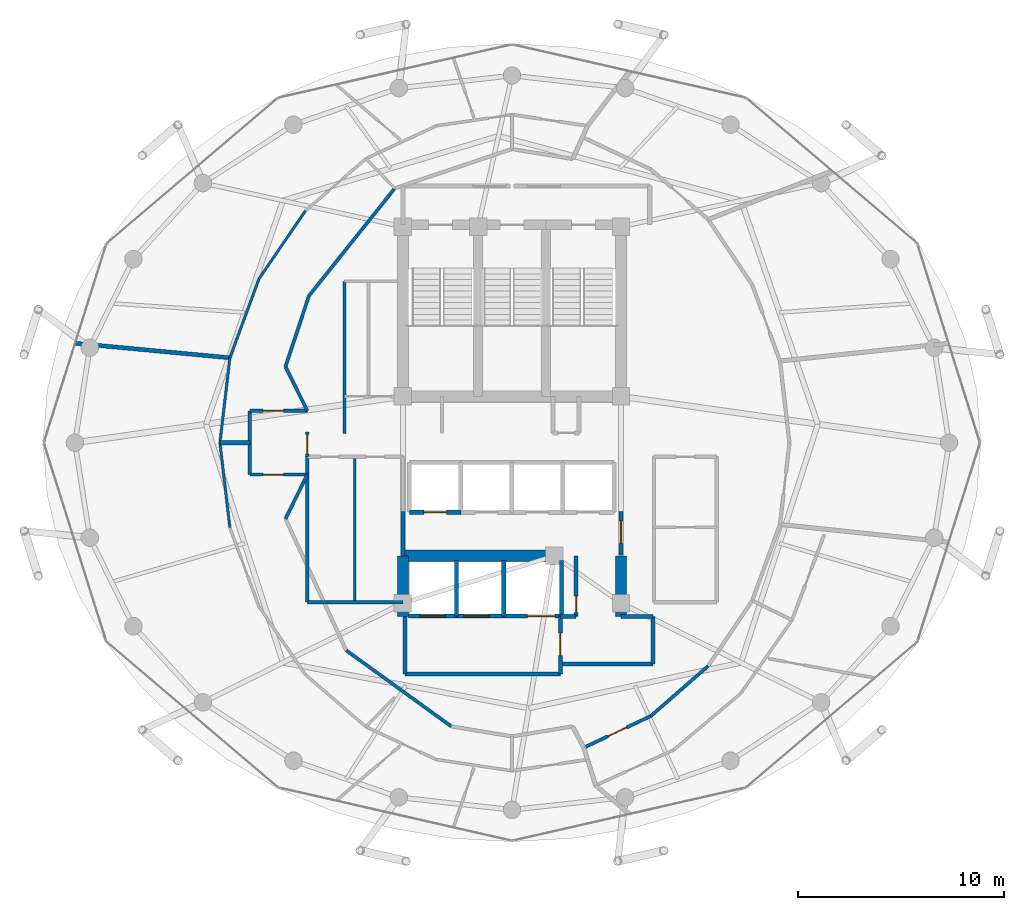
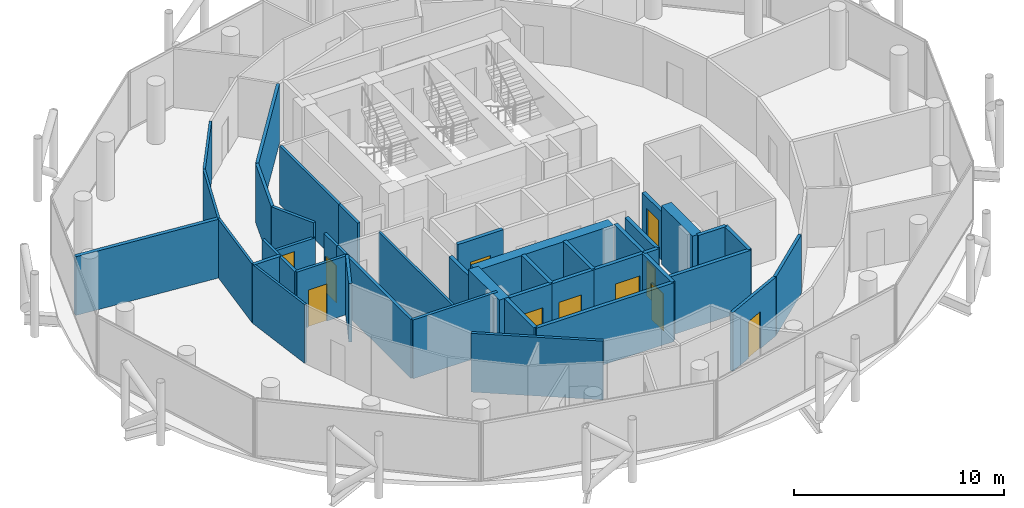
# One storey, part 23 of 27: 42 walls, 11 doors, 11 openings.
"""IFC4 building model written with IfcOpenShell, lengths in metres."""

from ifc_helpers import new_model, si_unit, direction, frame, frame_2d, origin, place, context, subcontext, project, spatial, rectangle, extrude, material, layer, layer_set, type_object, element, fill, save


model = new_model("IFC4")

# Units and contexts
model_context = context("Model", 3, precision=1e-05, world=origin(), true_north=direction((0.0, 1.0)))
body_context = subcontext(model_context, "Body", "Model", "MODEL_VIEW")
ifc_project = project(units=[si_unit("LENGTHUNIT", "METRE"), si_unit("AREAUNIT", "SQUARE_METRE"), si_unit("VOLUMEUNIT", "CUBIC_METRE"), si_unit("PLANEANGLEUNIT", "RADIAN"), si_unit("MASSUNIT", "GRAM", prefix="KILO")], contexts=[model_context])

# Site, building, storey
site_placement = place(None, origin())
site = spatial("IfcSite", under=ifc_project, at=site_placement, CompositionType="ELEMENT")
building_placement = place(site_placement, origin())
building = spatial("IfcBuilding", under=site, at=building_placement, Name="Nuhasar Tower", CompositionType="ELEMENT")
storey_placement = place(building_placement, frame((0.0, 0.0, 241.0)))
storey = spatial("IfcBuildingStorey", under=building, at=storey_placement, Name="L59", CompositionType="ELEMENT", Elevation=241.0)

# Walls
ifc_material_1 = material(Name="Concrete C55/67", Category="concrete")
ifc_layer_1 = layer(ifc_material_1, 0.550048828125)
ifc_layer_set_1 = layer_set([ifc_layer_1], Name="Concrete C55/67")
wall_type_1 = type_object("IfcWallType", Name="WL-CORE-550", PredefinedType="SHEAR", material=ifc_layer_set_1)
for number, where, z_axis, x_axis, name in (
    (1, (33.699951171875, 18.35009765625, 0.0), (0.0, 0.0, 1.0), (0.0, 1.0, 0.0), "L59 Core Shear Wall CW-SW CW-550"),
    (2, (44.300048828125, 18.35009765625, 0.0), (0.0, 0.0, 1.0), (0.0, 1.0, 0.0), "L59 Core Shear Wall CW-SE CW-550"),
):
    element("IfcWall", number, at=place(storey_placement, frame(where, z_axis=z_axis, x_axis=x_axis)), inside=storey, type_object=wall_type_1, Name=name, PredefinedType="SHEAR", context=body_context, shape_type="SweptSolid", body=[
        extrude(rectangle(XDim=2.949951171875, YDim=0.550048828125, at=frame_2d((1.47509765625, 0.0))), origin(), (0.0, 0.0, 1.0), 3.409912109375),
    ])
wall_1_placement = place(storey_placement, frame((33.699951171875, 21.300048828125, 0.0), z_axis=(0.0, 0.0, 1.0), x_axis=(1.0, 0.0, 0.0)))
element("IfcWall", 3, at=wall_1_placement, inside=storey, type_object=wall_type_1, Name="L59 Core Shear Wall CW-S1 CW-550", PredefinedType="SHEAR", context=body_context, shape_type="SweptSolid", body=[
    extrude(rectangle(XDim=7.550048828125, YDim=0.550048828125, at=frame_2d((3.77490234375, 0.0))), origin(), (0.0, 0.0, 1.0), 3.409912109375),
])
ifc_material_2 = material(Name="Gypsum Board", Category="gypsum")
ifc_layer_2 = layer(ifc_material_2, 0.159912109375)
ifc_layer_set_2 = layer_set([ifc_layer_2], Name="Gypsum Board")
wall_type_2 = type_object("IfcWallType", Name="WL-CORR-160", PredefinedType="PARTITIONING", material=ifc_layer_set_2)
wall_2_placement = place(storey_placement, frame((29.050048828125, 19.050048828125, 0.0), z_axis=(0.0, 0.0, 1.0), x_axis=(1.0, 0.0, 0.0)))
element("IfcWall", 4, at=wall_2_placement, inside=storey, type_object=wall_type_2, Name="L59 Interior Partition RECL-B1-S", PredefinedType="PARTITIONING", context=body_context, shape_type="SweptSolid", body=[
    extrude(rectangle(XDim=4.64990234375, YDim=0.159912109375, at=frame_2d((2.324951171875, 0.0))), origin(), (0.0, 0.0, 1.0), 3.409912109375),
])
wall_3_placement = place(storey_placement, frame((29.050048828125, 19.050048828125, 0.0), z_axis=(0.0, 0.0, 1.0), x_axis=(0.0, 1.0, 0.0)))
element("IfcWall", 5, at=wall_3_placement, inside=storey, type_object=wall_type_2, Name="L59 Interior Partition RECL-B1-W", PredefinedType="PARTITIONING", context=body_context, shape_type="SweptSolid", body=[
    extrude(rectangle(XDim=7.070068359375, YDim=0.159912109375, at=frame_2d((3.53515625, 0.0))), origin(), (0.0, 0.0, 1.0), 3.409912109375),
])

# Wall, opening, door
wall_4_placement = place(storey_placement, frame((29.050048828125, 26.1201171875, 0.0), z_axis=(0.0, 0.0, 1.0), x_axis=(0.0, 1.0, 0.0)))
wall_4 = element("IfcWall", 6, at=wall_4_placement, inside=storey, type_object=wall_type_2, Name="L59 Interior Partition WVEST-E", PredefinedType="PARTITIONING", context=body_context, shape_type="SweptSolid", body=[
    extrude(rectangle(XDim=1.199951171875, YDim=0.159912109375, at=frame_2d((0.60009765625, 0.0))), origin(), (0.0, 0.0, 1.0), 3.409912109375),
])
opening_1_placement = place(wall_4_placement, frame((0.125, 0.0, 0.0)))
opening_1 = element("IfcOpeningElement", 7, at=opening_1_placement, cuts=wall_4, Name="Opening DO-01", PredefinedType="OPENING", context=body_context, shape_type="SweptSolid", body=[
    extrude(rectangle(XDim=0.949951171875, YDim=2.14990234375, at=frame_2d((0.47509765625, 1.074951171875))), frame((0.0, 0.08984375, 0.0), z_axis=(0.0, -1.0, 0.0), x_axis=(1.0, 0.0, 0.0)), (0.0, 0.0, 1.0), 0.179931640625),
])
ifc_material_3 = material(Name="Timber Oak", Category="wood")
door_type_1 = type_object("IfcDoorType", Name="DR-OFFICE-FD30-950", OperationType="NOTDEFINED", PredefinedType="DOOR", material=ifc_material_3)
door_1_placement = place(opening_1_placement, origin())
door_1 = element("IfcDoor", 8, at=door_1_placement, inside=storey, type_object=door_type_1, Name="L59 West Arrival Foyer Core Door", OperationType="SINGLE_SWING_RIGHT", OverallHeight=2.14990234375, OverallWidth=0.949951171875, PredefinedType="DOOR", context=body_context, shape_type="SweptSolid", body=[
    extrude(rectangle(XDim=0.949951171875, YDim=2.14990234375, at=frame_2d((0.47509765625, 1.074951171875))), frame((0.0, 0.02490234375, 0.0), z_axis=(0.0, -1.0, 0.0), x_axis=(1.0, 0.0, 0.0)), (0.0, 0.0, 1.0), 0.050048828125),
])
fill(opening_1, door_1)

wall_5_placement = place(storey_placement, frame((45.7451171875, 13.507080078125, 0.0), z_axis=(0.0, 0.0, 1.0), x_axis=(-0.90451704265, -0.42643747438, 0.0)))
wall_5 = element("IfcWall", 9, at=wall_5_placement, inside=storey, type_object=wall_type_2, Name="L59 Interior Partition CORR-38", PredefinedType="PARTITIONING", context=body_context, shape_type="SweptSolid", body=[
    extrude(rectangle(XDim=3.59765625, YDim=0.159912109375, at=frame_2d((1.798828125, 0.0))), origin(), (0.0, 0.0, 1.0), 3.409912109375),
])
opening_2_placement = place(wall_5_placement, frame((1.299072265625, 0.0, 0.0)))
opening_2 = element("IfcOpeningElement", 10, at=opening_2_placement, cuts=wall_5, Name="Opening DU-02", PredefinedType="OPENING", context=body_context, shape_type="SweptSolid", body=[
    extrude(rectangle(XDim=1.0, YDim=2.14990234375, at=frame_2d((0.5, 1.074951171875))), frame((0.0, 0.08984375, 0.0), z_axis=(0.0, -1.0, 0.0), x_axis=(1.0, 0.0, 0.0)), (0.0, 0.0, 1.0), 0.179931640625),
])
door_type_2 = type_object("IfcDoorType", Name="DR-FLAT-FD60-1000", OperationType="NOTDEFINED", PredefinedType="DOOR", material=ifc_material_3)
door_2_placement = place(opening_2_placement, origin())
door_2 = element("IfcDoor", 11, at=door_2_placement, inside=storey, type_object=door_type_2, Name="L59 South-East Family Apartment Entrance Door", OperationType="SINGLE_SWING_RIGHT", OverallHeight=2.14990234375, OverallWidth=1.0, PredefinedType="DOOR", context=body_context, shape_type="SweptSolid", body=[
    extrude(rectangle(XDim=1.0, YDim=2.14990234375, at=frame_2d((0.5, 1.074951171875))), frame((0.0, 0.02490234375, 0.0), z_axis=(0.0, -1.0, 0.0), x_axis=(1.0, 0.0, 0.0)), (0.0, 0.0, 1.0), 0.050048828125),
])
fill(opening_2, door_2)

# Walls
wall_6_placement = place(storey_placement, frame((45.7451171875, 13.507080078125, 0.0), z_axis=(0.0, 0.0, 1.0), x_axis=(0.75334282606, 0.65762800003, 0.0)))
element("IfcWall", 12, at=wall_6_placement, inside=storey, type_object=wall_type_2, Name="L59 Interior Partition CORR-40", PredefinedType="PARTITIONING", context=body_context, shape_type="SweptSolid", body=[
    extrude(rectangle(XDim=3.708740234375, YDim=0.159912109375, at=frame_2d((1.8544921875, 0.0))), origin(), (0.0, 0.0, 1.0), 3.409912109375),
])
wall_7_placement = place(storey_placement, frame((33.300048828125, 39.1669921875, 0.0), z_axis=(0.0, 0.0, 1.0), x_axis=(-0.623915746766, -0.781491612839, 0.0)))
element("IfcWall", 13, at=wall_7_placement, inside=storey, type_object=wall_type_2, Name="L59 Interior Partition UWEST-CORE-N2-16", PredefinedType="PARTITIONING", context=body_context, shape_type="SweptSolid", body=[
    extrude(rectangle(XDim=6.6884765625, YDim=0.159912109375, at=frame_2d((3.34423828125, 0.0))), origin(), (0.0, 0.0, 1.0), 3.409912109375),
])
wall_8_placement = place(storey_placement, frame((29.126953125, 33.93994140625, 0.0), z_axis=(0.0, 0.0, 1.0), x_axis=(-0.313985571683, -0.949427754374, 0.0)))
element("IfcWall", 14, at=wall_8_placement, inside=storey, type_object=wall_type_2, Name="L59 Interior Partition UWEST-CORE-N2-20", PredefinedType="PARTITIONING", context=body_context, shape_type="SweptSolid", body=[
    extrude(rectangle(XDim=3.627197265625, YDim=0.159912109375, at=frame_2d((1.8134765625, 0.0))), origin(), (0.0, 0.0, 1.0), 3.409912109375),
])
wall_9_placement = place(storey_placement, frame((30.93896484375, 16.702880859375, 0.0), z_axis=(0.0, 0.0, 1.0), x_axis=(0.810290119061, -0.586028943784, 0.0)))
element("IfcWall", 15, at=wall_9_placement, inside=storey, type_object=wall_type_2, Name="L59 Interior Partition UWEST-CORE-S1-30", PredefinedType="PARTITIONING", context=body_context, shape_type="SweptSolid", body=[
    extrude(rectangle(XDim=6.306396484375, YDim=0.159912109375, at=frame_2d((3.1533203125, 0.0))), origin(), (0.0, 0.0, 1.0), 3.409912109375),
])

# Wall, opening, door
wall_10_placement = place(storey_placement, frame((26.25, 28.35009765625, 0.0), z_axis=(0.0, 0.0, 1.0), x_axis=(1.0, 0.0, 0.0)))
wall_10 = element("IfcWall", 16, at=wall_10_placement, inside=storey, type_object=wall_type_2, Name="L59 Interior Partition WVEST-N", PredefinedType="PARTITIONING", context=body_context, shape_type="SweptSolid", body=[
    extrude(rectangle(XDim=2.800048828125, YDim=0.159912109375, at=frame_2d((1.39990234375, 0.0))), origin(), (0.0, 0.0, 1.0), 2.550048828125),
])
opening_3_placement = place(wall_10_placement, frame((0.64990234375, 0.0, 0.0)))
opening_3 = element("IfcOpeningElement", 17, at=opening_3_placement, cuts=wall_10, Name="Opening DU-02", PredefinedType="OPENING", context=body_context, shape_type="SweptSolid", body=[
    extrude(rectangle(XDim=1.0, YDim=2.14990234375, at=frame_2d((0.5, 1.074951171875))), frame((0.0, 0.08984375, 0.0), z_axis=(0.0, -1.0, 0.0), x_axis=(1.0, 0.0, 0.0)), (0.0, 0.0, 1.0), 0.179931640625),
])
door_3_placement = place(opening_3_placement, origin())
door_3 = element("IfcDoor", 18, at=door_3_placement, inside=storey, type_object=door_type_2, Name="L59 North-West Sky Home Entrance", OperationType="SINGLE_SWING_LEFT", OverallHeight=2.14990234375, OverallWidth=1.0, PredefinedType="DOOR", context=body_context, shape_type="SweptSolid", body=[
    extrude(rectangle(XDim=1.0, YDim=2.14990234375, at=frame_2d((0.5, 1.074951171875))), frame((0.0, 0.02490234375, 0.0), z_axis=(0.0, -1.0, 0.0), x_axis=(1.0, 0.0, 0.0)), (0.0, 0.0, 1.0), 0.050048828125),
])
fill(opening_3, door_3)

wall_11_placement = place(storey_placement, frame((26.25, 25.25, 0.0), z_axis=(0.0, 0.0, 1.0), x_axis=(1.0, 0.0, 0.0)))
wall_11 = element("IfcWall", 19, at=wall_11_placement, inside=storey, type_object=wall_type_2, Name="L59 Interior Partition WVEST-S", PredefinedType="PARTITIONING", context=body_context, shape_type="SweptSolid", body=[
    extrude(rectangle(XDim=2.800048828125, YDim=0.159912109375, at=frame_2d((1.39990234375, 0.0))), origin(), (0.0, 0.0, 1.0), 3.409912109375),
])
opening_4_placement = place(wall_11_placement, frame((0.64990234375, 0.0, 0.0)))
opening_4 = element("IfcOpeningElement", 20, at=opening_4_placement, cuts=wall_11, Name="Opening DU-02", PredefinedType="OPENING", context=body_context, shape_type="SweptSolid", body=[
    extrude(rectangle(XDim=1.0, YDim=2.14990234375, at=frame_2d((0.5, 1.074951171875))), frame((0.0, 0.08984375, 0.0), z_axis=(0.0, -1.0, 0.0), x_axis=(1.0, 0.0, 0.0)), (0.0, 0.0, 1.0), 0.179931640625),
])
door_4_placement = place(opening_4_placement, origin())
door_4 = element("IfcDoor", 21, at=door_4_placement, inside=storey, type_object=door_type_2, Name="L59 South-West Sky Home Entrance", OperationType="SINGLE_SWING_LEFT", OverallHeight=2.14990234375, OverallWidth=1.0, PredefinedType="DOOR", context=body_context, shape_type="SweptSolid", body=[
    extrude(rectangle(XDim=1.0, YDim=2.14990234375, at=frame_2d((0.5, 1.074951171875))), frame((0.0, 0.02490234375, 0.0), z_axis=(0.0, -1.0, 0.0), x_axis=(1.0, 0.0, 0.0)), (0.0, 0.0, 1.0), 0.050048828125),
])
fill(opening_4, door_4)

# Walls
wall_12_placement = place(storey_placement, frame((26.25, 25.25, 0.0), z_axis=(0.0, 0.0, 1.0), x_axis=(0.0, 1.0, 0.0)))
element("IfcWall", 22, at=wall_12_placement, inside=storey, type_object=wall_type_2, Name="L59 Interior Partition WVEST-W", PredefinedType="PARTITIONING", context=body_context, shape_type="SweptSolid", body=[
    extrude(rectangle(XDim=3.10009765625, YDim=0.159912109375, at=frame_2d((1.550048828125, 0.0))), origin(), (0.0, 0.0, 1.0), 3.409912109375),
])
for number, where, z_axis, x_axis, name in (
    (23, (27.988037109375, 30.49609375, 0.0), (0.0, 0.0, 1.0), (0.443539160525, -0.896254993337, 0.0), "L59 Interior Partition WVEST-CN"),
    (24, (27.988037109375, 23.10400390625, 0.0), (0.0, 0.0, 1.0), (0.443539160525, 0.896254993337, 0.0), "L59 Interior Partition WVEST-CS"),
):
    element("IfcWall", number, at=place(storey_placement, frame(where, z_axis=z_axis, x_axis=x_axis)), inside=storey, type_object=wall_type_2, Name=name, PredefinedType="PARTITIONING", context=body_context, shape_type="SweptSolid", body=[
        extrude(rectangle(XDim=2.394287109375, YDim=0.159912109375, at=frame_2d((1.197265625, 0.0))), origin(), (0.0, 0.0, 1.0), 3.409912109375),
    ])
ifc_material_4 = material(Name="Concrete C45/55", Category="concrete")
ifc_layer_3 = layer(ifc_material_4, 0.199951171875)
ifc_layer_set_3 = layer_set([ifc_layer_3], Name="Concrete C45/55")
wall_type_3 = type_object("IfcWallType", Name="WL-LOBBY-200", PredefinedType="SOLIDWALL", material=ifc_layer_set_3)
wall_13_placement = place(storey_placement, frame((33.699951171875, 21.300048828125, 0.0), z_axis=(0.0, 0.0, 1.0), x_axis=(0.0, 1.0, 0.0)))
element("IfcWall", 25, at=wall_13_placement, inside=storey, type_object=wall_type_3, Name="L59 Interior Partition LLBH-W", PredefinedType="SOLIDWALL", context=body_context, shape_type="SweptSolid", body=[
    extrude(rectangle(XDim=2.14990234375, YDim=0.199951171875, at=frame_2d((1.074951171875, 0.0))), origin(), (0.0, 0.0, 1.0), 2.794921875),
])

# Wall, opening, door
wall_14_placement = place(storey_placement, frame((44.300048828125, 21.35009765625, 0.0), z_axis=(0.0, 0.0, 1.0), x_axis=(0.0, 1.0, 0.0)))
wall_14 = element("IfcWall", 26, at=wall_14_placement, inside=storey, type_object=wall_type_3, Name="L59 Interior Partition LLBH-E", PredefinedType="SOLIDWALL", context=body_context, shape_type="SweptSolid", body=[
    extrude(rectangle(XDim=2.099853515625, YDim=0.199951171875, at=frame_2d((1.0498046875, 0.0))), origin(), (0.0, 0.0, 1.0), 2.794921875),
])
opening_5_placement = place(wall_14_placement, frame((0.550048828125, 0.0, 0.0)))
opening_5 = element("IfcOpeningElement", 27, at=opening_5_placement, cuts=wall_14, Name="Opening DS-02", PredefinedType="OPENING", context=body_context, shape_type="SweptSolid", body=[
    extrude(rectangle(XDim=1.10009765625, YDim=2.14990234375, at=frame_2d((0.550048828125, 1.074951171875))), frame((0.0, 0.10986328125, 0.0), z_axis=(0.0, -1.0, 0.0), x_axis=(1.0, 0.0, 0.0)), (0.0, 0.0, 1.0), 0.219970703125),
])
ifc_material_5 = material(Name="Steel S355", Category="steel")
door_type_3 = type_object("IfcDoorType", Name="DR-FFL-FD120-1100", OperationType="NOTDEFINED", PredefinedType="DOOR", material=ifc_material_5)
door_5_placement = place(opening_5_placement, origin())
door_5 = element("IfcDoor", 28, at=door_5_placement, inside=storey, type_object=door_type_3, Name="L59 High-Rise Lobby East Door", OperationType="SINGLE_SWING_RIGHT", OverallHeight=2.14990234375, OverallWidth=1.10009765625, PredefinedType="DOOR", context=body_context, shape_type="SweptSolid", body=[
    extrude(rectangle(XDim=1.10009765625, YDim=2.14990234375, at=frame_2d((0.550048828125, 1.074951171875))), frame((0.0, 0.02490234375, 0.0), z_axis=(0.0, -1.0, 0.0), x_axis=(1.0, 0.0, 0.0)), (0.0, 0.0, 1.0), 0.050048828125),
])
fill(opening_5, door_5)

# Walls
wall_15_placement = place(storey_placement, frame((33.800048828125, 15.550048828125, 0.0), z_axis=(0.0, 0.0, 1.0), x_axis=(1.0, 0.0, 0.0)))
element("IfcWall", 29, at=wall_15_placement, inside=storey, type_object=wall_type_3, Name="L59 Interior Partition FFL-S", PredefinedType="SOLIDWALL", context=body_context, shape_type="SweptSolid", body=[
    extrude(rectangle(XDim=7.550048828125, YDim=0.199951171875, at=frame_2d((3.77490234375, 0.0))), origin(), (0.0, 0.0, 1.0), 3.409912109375),
])
wall_16_placement = place(storey_placement, frame((33.800048828125, 15.550048828125, 0.0), z_axis=(0.0, 0.0, 1.0), x_axis=(0.0, 1.0, 0.0)))
element("IfcWall", 30, at=wall_16_placement, inside=storey, type_object=wall_type_3, Name="L59 Interior Partition FFL-W", PredefinedType="SOLIDWALL", context=body_context, shape_type="SweptSolid", body=[
    extrude(rectangle(XDim=2.800048828125, YDim=0.199951171875, at=frame_2d((1.39990234375, 0.0))), origin(), (0.0, 0.0, 1.0), 3.409912109375),
])

# Wall, opening, door
wall_17_placement = place(storey_placement, frame((41.35009765625, 15.550048828125, 0.0), z_axis=(0.0, 0.0, 1.0), x_axis=(0.0, 1.0, 0.0)))
wall_17 = element("IfcWall", 31, at=wall_17_placement, inside=storey, type_object=wall_type_3, Name="L59 Interior Partition FFL-E", PredefinedType="SOLIDWALL", context=body_context, shape_type="SweptSolid", body=[
    extrude(rectangle(XDim=2.800048828125, YDim=0.199951171875, at=frame_2d((1.39990234375, 0.0))), origin(), (0.0, 0.0, 1.0), 3.409912109375),
])
opening_6_placement = place(wall_17_placement, frame((0.89990234375, 0.0, 0.0)))
opening_6 = element("IfcOpeningElement", 32, at=opening_6_placement, cuts=wall_17, Name="Opening DS-02", PredefinedType="OPENING", context=body_context, shape_type="SweptSolid", body=[
    extrude(rectangle(XDim=1.10009765625, YDim=2.14990234375, at=frame_2d((0.550048828125, 1.074951171875))), frame((0.0, 0.10986328125, 0.0), z_axis=(0.0, -1.0, 0.0), x_axis=(1.0, 0.0, 0.0)), (0.0, 0.0, 1.0), 0.219970703125),
])
door_6_placement = place(opening_6_placement, origin())
door_6 = element("IfcDoor", 33, at=door_6_placement, inside=storey, type_object=door_type_3, Name="L59 Firefighting Lobby Door", OperationType="SINGLE_SWING_RIGHT", OverallHeight=2.14990234375, OverallWidth=1.10009765625, PredefinedType="DOOR", context=body_context, shape_type="SweptSolid", body=[
    extrude(rectangle(XDim=1.10009765625, YDim=2.14990234375, at=frame_2d((0.550048828125, 1.074951171875))), frame((0.0, 0.02490234375, 0.0), z_axis=(0.0, -1.0, 0.0), x_axis=(1.0, 0.0, 0.0)), (0.0, 0.0, 1.0), 0.050048828125),
])
fill(opening_6, door_6)

# Walls
wall_18_placement = place(storey_placement, frame((41.35009765625, 16.050048828125, 0.0), z_axis=(0.0, 0.0, 1.0), x_axis=(1.0, 0.0, 0.0)))
element("IfcWall", 34, at=wall_18_placement, inside=storey, type_object=wall_type_3, Name="L59 Interior Partition SVLV-S", PredefinedType="SOLIDWALL", context=body_context, shape_type="SweptSolid", body=[
    extrude(rectangle(XDim=4.5, YDim=0.199951171875, at=frame_2d((2.25, 0.0))), origin(), (0.0, 0.0, 1.0), 3.409912109375),
])
wall_19_placement = place(storey_placement, frame((45.85009765625, 16.050048828125, 0.0), z_axis=(0.0, 0.0, 1.0), x_axis=(0.0, 1.0, 0.0)))
element("IfcWall", 35, at=wall_19_placement, inside=storey, type_object=wall_type_3, Name="L59 Interior Partition SVLV-E", PredefinedType="SOLIDWALL", context=body_context, shape_type="SweptSolid", body=[
    extrude(rectangle(XDim=2.300048828125, YDim=0.199951171875, at=frame_2d((1.14990234375, 0.0))), origin(), (0.0, 0.0, 1.0), 3.409912109375),
])
wall_20_placement = place(storey_placement, frame((44.300048828125, 18.35009765625, 0.0), z_axis=(0.0, 0.0, 1.0), x_axis=(1.0, 0.0, 0.0)))
element("IfcWall", 36, at=wall_20_placement, inside=storey, type_object=wall_type_3, Name="L59 Interior Partition SVLV-N", PredefinedType="SOLIDWALL", context=body_context, shape_type="SweptSolid", body=[
    extrude(rectangle(XDim=1.550048828125, YDim=0.199951171875, at=frame_2d((0.77490234375, 0.0))), origin(), (0.0, 0.0, 1.0), 3.409912109375),
])
ifc_layer_4 = layer(ifc_material_2, 0.125)
ifc_layer_set_4 = layer_set([ifc_layer_4], Name="Gypsum Board")
wall_type_4 = type_object("IfcWallType", Name="WL-PART-125", PredefinedType="PARTITIONING", material=ifc_layer_set_4)
wall_21_placement = place(storey_placement, frame((31.35009765625, 19.050048828125, 0.0), z_axis=(0.0, 0.0, 1.0), x_axis=(0.0, 1.0, 0.0)))
element("IfcWall", 37, at=wall_21_placement, inside=storey, type_object=wall_type_4, Name="L59 Interior Partition RECL-B1-V", PredefinedType="PARTITIONING", context=body_context, shape_type="SweptSolid", body=[
    extrude(rectangle(XDim=7.070068359375, YDim=0.125, at=frame_2d((3.53515625, 0.0))), origin(), (0.0, 0.0, 1.0), 3.409912109375),
])
wall_22_placement = place(storey_placement, frame((28.958984375, 38.077880859375, 0.0), z_axis=(0.0, 0.0, 1.0), x_axis=(-0.56419813198, -0.825639429697, 0.0)))
element("IfcWall", 38, at=wall_22_placement, inside=storey, type_object=wall_type_4, Name="L59 Interior Partition USM-1-D-18", PredefinedType="PARTITIONING", context=body_context, shape_type="SweptSolid", body=[
    extrude(rectangle(XDim=4.00048828125, YDim=0.125, at=frame_2d((2.000244140625, 0.0))), origin(), (0.0, 0.0, 1.0), 3.409912109375),
])
wall_23_placement = place(storey_placement, frame((26.701904296875, 34.77490234375, 0.0), z_axis=(0.0, 0.0, 1.0), x_axis=(-0.345851608983, -0.938289222236, 0.0)))
element("IfcWall", 39, at=wall_23_placement, inside=storey, type_object=wall_type_4, Name="L59 Interior Partition USM-1-D-20", PredefinedType="PARTITIONING", context=body_context, shape_type="SweptSolid", body=[
    extrude(rectangle(XDim=4.099853515625, YDim=0.125, at=frame_2d((2.0498046875, 0.0))), origin(), (0.0, 0.0, 1.0), 3.409912109375),
])
for number, where, z_axis, x_axis, name in (
    (40, (25.283935546875, 30.927978515625, 0.0), (0.0, 0.0, 1.0), (-0.116425436493, -0.993199435027, 0.0), "L59 Interior Partition USM-1-D-22"),
    (41, (24.800048828125, 26.800048828125, 0.0), (0.0, 0.0, 1.0), (0.116425436493, -0.993199435027, 0.0), "L59 Interior Partition USM-2-D-24"),
):
    element("IfcWall", number, at=place(storey_placement, frame(where, z_axis=z_axis, x_axis=x_axis)), inside=storey, type_object=wall_type_4, Name=name, PredefinedType="PARTITIONING", context=body_context, shape_type="SweptSolid", body=[
        extrude(rectangle(XDim=4.15625, YDim=0.125, at=frame_2d((2.078125, 0.0))), origin(), (0.0, 0.0, 1.0), 3.409912109375),
    ])

# Wall, opening, door
ifc_layer_5 = layer(ifc_material_4, 0.199951171875)
ifc_layer_set_5 = layer_set([ifc_layer_5], Name="Concrete C45/55")
wall_type_5 = type_object("IfcWallType", Name="WL-SHAFT-200", PredefinedType="SOLIDWALL", material=ifc_layer_set_5)
wall_24_placement = place(storey_placement, frame((34.02001953125, 23.419921875, 0.0), z_axis=(0.0, 0.0, 1.0), x_axis=(1.0, 0.0, 0.0)))
wall_24 = element("IfcWall", 42, at=wall_24_placement, inside=storey, type_object=wall_type_5, Name="L59 Interior Partition SHF-PL-H01-S", PredefinedType="SOLIDWALL", context=body_context, shape_type="SweptSolid", body=[
    extrude(rectangle(XDim=2.5, YDim=0.199951171875, at=frame_2d((1.25, 0.0))), origin(), (0.0, 0.0, 1.0), 3.409912109375),
])
opening_7_placement = place(wall_24_placement, frame((0.699951171875, 0.0, 0.0)))
opening_7 = element("IfcOpeningElement", 43, at=opening_7_placement, cuts=wall_24, Name="Opening LD-H01", PredefinedType="OPENING", context=body_context, shape_type="SweptSolid", body=[
    extrude(rectangle(XDim=1.10009765625, YDim=2.14990234375, at=frame_2d((0.550048828125, 1.074951171875))), frame((0.0, 0.10986328125, 0.0), z_axis=(0.0, -1.0, 0.0), x_axis=(1.0, 0.0, 0.0)), (0.0, 0.0, 1.0), 0.219970703125),
])
ifc_material_6 = material(Name="Stainless Steel 316L", Category="steel")
door_type_4 = type_object("IfcDoorType", Name="LD-PAX-1100", OperationType="DOUBLE_DOOR_SLIDING", PredefinedType="DOOR", material=ifc_material_6)
door_7_placement = place(opening_7_placement, origin())
door_7 = element("IfcDoor", 44, at=door_7_placement, inside=storey, type_object=door_type_4, Name="L59 Lift Landing Door PL-H01", OperationType="DOUBLE_DOOR_SLIDING", OverallHeight=2.14990234375, OverallWidth=1.10009765625, PredefinedType="DOOR", context=body_context, shape_type="SweptSolid", body=[
    extrude(rectangle(XDim=1.10009765625, YDim=2.14990234375, at=frame_2d((0.550048828125, 1.074951171875))), frame((0.0, 0.02490234375, 0.0), z_axis=(0.0, -1.0, 0.0), x_axis=(1.0, 0.0, 0.0)), (0.0, 0.0, 1.0), 0.050048828125),
])
fill(opening_7, door_7)

wall_25_placement = place(storey_placement, frame((33.969970703125, 18.3701171875, 0.0), z_axis=(0.0, 0.0, 1.0), x_axis=(1.0, 0.0, 0.0)))
wall_25 = element("IfcWall", 45, at=wall_25_placement, inside=storey, type_object=wall_type_5, Name="L59 Interior Partition SHF-FFL-01-S", PredefinedType="SOLIDWALL", context=body_context, shape_type="SweptSolid", body=[
    extrude(rectangle(XDim=2.360107421875, YDim=0.199951171875, at=frame_2d((1.18017578125, 0.0))), origin(), (0.0, 0.0, 1.0), 3.409912109375),
])
opening_8_placement = place(wall_25_placement, frame((0.554931640625, 0.0, 0.0)))
opening_8 = element("IfcOpeningElement", 46, at=opening_8_placement, cuts=wall_25, Name="Opening LD-F01", PredefinedType="OPENING", context=body_context, shape_type="SweptSolid", body=[
    extrude(rectangle(XDim=1.25, YDim=2.199951171875, at=frame_2d((0.625, 1.10009765625))), frame((0.0, 0.10986328125, 0.0), z_axis=(0.0, -1.0, 0.0), x_axis=(1.0, 0.0, 0.0)), (0.0, 0.0, 1.0), 0.219970703125),
])
door_type_5 = type_object("IfcDoorType", Name="LD-FFL-1250", OperationType="DOUBLE_DOOR_SLIDING", PredefinedType="DOOR", material=ifc_material_6)
door_8_placement = place(opening_8_placement, origin())
door_8 = element("IfcDoor", 47, at=door_8_placement, inside=storey, type_object=door_type_5, Name="L59 Lift Landing Door FFL-01", OperationType="DOUBLE_DOOR_SLIDING", OverallHeight=2.199951171875, OverallWidth=1.25, PredefinedType="DOOR", context=body_context, shape_type="SweptSolid", body=[
    extrude(rectangle(XDim=1.25, YDim=2.199951171875, at=frame_2d((0.625, 1.10009765625))), frame((0.0, 0.02490234375, 0.0), z_axis=(0.0, -1.0, 0.0), x_axis=(1.0, 0.0, 0.0)), (0.0, 0.0, 1.0), 0.050048828125),
])
fill(opening_8, door_8)

# Wall
wall_26_placement = place(storey_placement, frame((36.300048828125, 18.3701171875, 0.0), z_axis=(0.0, 0.0, 1.0), x_axis=(0.0, 1.0, 0.0)))
element("IfcWall", 48, at=wall_26_placement, inside=storey, type_object=wall_type_5, Name="L59 Interior Partition SHF-FFL-01-E", PredefinedType="SOLIDWALL", context=body_context, shape_type="SweptSolid", body=[
    extrude(rectangle(XDim=2.7099609375, YDim=0.199951171875, at=frame_2d((1.35498046875, 0.0))), origin(), (0.0, 0.0, 1.0), 3.409912109375),
])

# Wall, opening, door
wall_27_placement = place(storey_placement, frame((36.27001953125, 18.3701171875, 0.0), z_axis=(0.0, 0.0, 1.0), x_axis=(1.0, 0.0, 0.0)))
wall_27 = element("IfcWall", 49, at=wall_27_placement, inside=storey, type_object=wall_type_5, Name="L59 Interior Partition SHF-FFL-02-S", PredefinedType="SOLIDWALL", context=body_context, shape_type="SweptSolid", body=[
    extrude(rectangle(XDim=2.35986328125, YDim=0.199951171875, at=frame_2d((1.179931640625, 0.0))), origin(), (0.0, 0.0, 1.0), 3.409912109375),
])
opening_9_placement = place(wall_27_placement, frame((0.3798828125, 0.0, 0.0)))
opening_9 = element("IfcOpeningElement", 50, at=opening_9_placement, cuts=wall_27, Name="Opening LD-F02", PredefinedType="OPENING", context=body_context, shape_type="SweptSolid", body=[
    extrude(rectangle(XDim=1.25, YDim=2.199951171875, at=frame_2d((0.625, 1.10009765625))), frame((0.0, 0.10986328125, 0.0), z_axis=(0.0, -1.0, 0.0), x_axis=(1.0, 0.0, 0.0)), (0.0, 0.0, 1.0), 0.219970703125),
])
door_9_placement = place(opening_9_placement, origin())
door_9 = element("IfcDoor", 51, at=door_9_placement, inside=storey, type_object=door_type_5, Name="L59 Lift Landing Door FFL-02", OperationType="DOUBLE_DOOR_SLIDING", OverallHeight=2.199951171875, OverallWidth=1.25, PredefinedType="DOOR", context=body_context, shape_type="SweptSolid", body=[
    extrude(rectangle(XDim=1.25, YDim=2.199951171875, at=frame_2d((0.625, 1.10009765625))), frame((0.0, 0.02490234375, 0.0), z_axis=(0.0, -1.0, 0.0), x_axis=(1.0, 0.0, 0.0)), (0.0, 0.0, 1.0), 0.050048828125),
])
fill(opening_9, door_9)

# Wall
wall_28_placement = place(storey_placement, frame((38.60009765625, 18.3701171875, 0.0), z_axis=(0.0, 0.0, 1.0), x_axis=(0.0, 1.0, 0.0)))
element("IfcWall", 52, at=wall_28_placement, inside=storey, type_object=wall_type_5, Name="L59 Interior Partition SHF-FFL-02-E", PredefinedType="SOLIDWALL", context=body_context, shape_type="SweptSolid", body=[
    extrude(rectangle(XDim=2.7099609375, YDim=0.199951171875, at=frame_2d((1.35498046875, 0.0))), origin(), (0.0, 0.0, 1.0), 3.409912109375),
])

# Wall, opening, door
wall_29_placement = place(storey_placement, frame((38.570068359375, 18.3701171875, 0.0), z_axis=(0.0, 0.0, 1.0), x_axis=(1.0, 0.0, 0.0)))
wall_29 = element("IfcWall", 53, at=wall_29_placement, inside=storey, type_object=wall_type_5, Name="L59 Interior Partition SHF-SVL-01-S", PredefinedType="SOLIDWALL", context=body_context, shape_type="SweptSolid", body=[
    extrude(rectangle(XDim=2.829833984375, YDim=0.199951171875, at=frame_2d((1.4150390625, 0.0))), origin(), (0.0, 0.0, 1.0), 3.409912109375),
])
opening_10_placement = place(wall_29_placement, frame((1.179931640625, 0.0, 0.0)))
opening_10 = element("IfcOpeningElement", 54, at=opening_10_placement, cuts=wall_29, Name="Opening LD-S01", PredefinedType="OPENING", context=body_context, shape_type="SweptSolid", body=[
    extrude(rectangle(XDim=1.35009765625, YDim=2.179931640625, at=frame_2d((0.675048828125, 1.08984375))), frame((0.0, 0.10986328125, 0.0), z_axis=(0.0, -1.0, 0.0), x_axis=(1.0, 0.0, 0.0)), (0.0, 0.0, 1.0), 0.219970703125),
])
door_type_6 = type_object("IfcDoorType", Name="LD-SVL-1350", OperationType="DOUBLE_DOOR_SLIDING", PredefinedType="DOOR", material=ifc_material_6)
door_10_placement = place(opening_10_placement, origin())
door_10 = element("IfcDoor", 55, at=door_10_placement, inside=storey, type_object=door_type_6, Name="L59 Lift Landing Door SVL-01", OperationType="DOUBLE_DOOR_SLIDING", OverallHeight=2.179931640625, OverallWidth=1.35009765625, PredefinedType="DOOR", context=body_context, shape_type="SweptSolid", body=[
    extrude(rectangle(XDim=1.35009765625, YDim=2.179931640625, at=frame_2d((0.675048828125, 1.08984375))), frame((0.0, 0.02490234375, 0.0), z_axis=(0.0, -1.0, 0.0), x_axis=(1.0, 0.0, 0.0)), (0.0, 0.0, 1.0), 0.050048828125),
])
fill(opening_10, door_10)

# Wall
wall_30_placement = place(storey_placement, frame((41.39990234375, 18.3701171875, 0.0), z_axis=(0.0, 0.0, 1.0), x_axis=(0.0, 1.0, 0.0)))
element("IfcWall", 56, at=wall_30_placement, inside=storey, type_object=wall_type_5, Name="L59 Interior Partition SHF-SVL-01-E", PredefinedType="SOLIDWALL", context=body_context, shape_type="SweptSolid", body=[
    extrude(rectangle(XDim=2.7099609375, YDim=0.199951171875, at=frame_2d((1.35498046875, 0.0))), origin(), (0.0, 0.0, 1.0), 3.409912109375),
])

# Wall, opening, door
wall_31_placement = place(storey_placement, frame((42.1201171875, 18.35009765625, 0.0), z_axis=(0.0, 0.0, 1.0), x_axis=(0.0, 1.0, 0.0)))
wall_31 = element("IfcWall", 57, at=wall_31_placement, inside=storey, type_object=wall_type_5, Name="L59 Interior Partition RSR-E", PredefinedType="SOLIDWALL", context=body_context, shape_type="SweptSolid", body=[
    extrude(rectangle(XDim=2.949951171875, YDim=0.199951171875, at=frame_2d((1.47509765625, 0.0))), origin(), (0.0, 0.0, 1.0), 3.409912109375),
])
opening_11_placement = place(wall_31_placement, frame((0.199951171875, 0.0, 0.0)))
opening_11 = element("IfcOpeningElement", 58, at=opening_11_placement, cuts=wall_31, Name="Opening DM-01", PredefinedType="OPENING", context=body_context, shape_type="SweptSolid", body=[
    extrude(rectangle(XDim=0.800048828125, YDim=2.050048828125, at=frame_2d((0.39990234375, 1.02490234375))), frame((0.0, 0.10986328125, 0.0), z_axis=(0.0, -1.0, 0.0), x_axis=(1.0, 0.0, 0.0)), (0.0, 0.0, 1.0), 0.219970703125),
])
door_type_7 = type_object("IfcDoorType", Name="DR-RISER-FD60-800", OperationType="NOTDEFINED", PredefinedType="DOOR", material=ifc_material_5)
door_11_placement = place(opening_11_placement, origin())
door_11 = element("IfcDoor", 59, at=door_11_placement, inside=storey, type_object=door_type_7, Name="L59 MEP Riser Access Door", OperationType="SINGLE_SWING_LEFT", OverallHeight=2.050048828125, OverallWidth=0.800048828125, PredefinedType="DOOR", context=body_context, shape_type="SweptSolid", body=[
    extrude(rectangle(XDim=0.800048828125, YDim=2.050048828125, at=frame_2d((0.39990234375, 1.02490234375))), frame((0.0, 0.02490234375, 0.0), z_axis=(0.0, -1.0, 0.0), x_axis=(1.0, 0.0, 0.0)), (0.0, 0.0, 1.0), 0.050048828125),
])
fill(opening_11, door_11)

# Walls
wall_32_placement = place(storey_placement, frame((41.35009765625, 18.35009765625, 0.0), z_axis=(0.0, 0.0, 1.0), x_axis=(1.0, 0.0, 0.0)))
element("IfcWall", 60, at=wall_32_placement, inside=storey, type_object=wall_type_5, Name="L59 Interior Partition RSR-S", PredefinedType="SOLIDWALL", context=body_context, shape_type="SweptSolid", body=[
    extrude(rectangle(XDim=0.77001953125, YDim=0.199951171875, at=frame_2d((0.385009765625, 0.0))), origin(), (0.0, 0.0, 1.0), 3.409912109375),
])
ifc_material_7 = material(Name="Concrete C40/50 precast", Category="concrete")
ifc_layer_6 = layer(ifc_material_7, 0.199951171875)
ifc_layer_set_6 = layer_set([ifc_layer_6], Name="Concrete C40/50 precast")
wall_type_6 = type_object("IfcWallType", Name="WL-UNIT-200", PredefinedType="PARTITIONING", material=ifc_layer_set_6)
wall_33_placement = place(storey_placement, frame((26.25, 26.800048828125, 0.0), z_axis=(0.0, 0.0, 1.0), x_axis=(-1.0, 0.0, 0.0)))
element("IfcWall", 61, at=wall_33_placement, inside=storey, type_object=wall_type_6, Name="L59 Interior Partition UWEST-PARTY-IN", PredefinedType="PARTITIONING", context=body_context, shape_type="SweptSolid", body=[
    extrude(rectangle(XDim=1.449951171875, YDim=0.199951171875, at=frame_2d((0.72509765625, 0.0))), origin(), (0.0, 0.0, 1.0), 3.409912109375),
])
wall_34_placement = place(storey_placement, frame((25.283935546875, 30.927978515625, 0.0), z_axis=(0.0, 0.0, 1.0), x_axis=(-0.995618938053, 0.093503637305, 0.0)))
element("IfcWall", 62, at=wall_34_placement, inside=storey, type_object=wall_type_6, Name="L59 Interior Partition UWEST-PARTY-OUT", PredefinedType="PARTITIONING", context=body_context, shape_type="SweptSolid", body=[
    extrude(rectangle(XDim=7.519775390625, YDim=0.199951171875, at=frame_2d((3.759765625, 0.0))), origin(), (0.0, 0.0, 1.0), 3.409912109375),
])
ifc_layer_7 = layer(ifc_material_7, 0.139892578125)
ifc_layer_set_7 = layer_set([ifc_layer_7], Name="Concrete C40/50 precast")
wall_type_7 = type_object("IfcWallType", Name="WL-WET-140", PredefinedType="PARTITIONING", material=ifc_layer_set_7)
wall_35_placement = place(storey_placement, frame((30.85009765625, 27.239990234375, 0.0), z_axis=(0.0, 0.0, 1.0), x_axis=(0.0, 1.0, 0.0)))
element("IfcWall", 63, at=wall_35_placement, inside=storey, type_object=wall_type_7, Name="L59 Interior Partition K2-FOY-W", PredefinedType="PARTITIONING", context=body_context, shape_type="SweptSolid", body=[
    extrude(rectangle(XDim=1.81005859375, YDim=0.139892578125, at=frame_2d((0.905029296875, 0.0))), origin(), (0.0, 0.0, 1.0), 3.409912109375),
])
wall_36_placement = place(storey_placement, frame((30.85009765625, 29.050048828125, 0.0), z_axis=(0.0, 0.0, 1.0), x_axis=(0.0, 1.0, 0.0)))
element("IfcWall", 64, at=wall_36_placement, inside=storey, type_object=wall_type_7, Name="L59 Interior Partition K2-NW-W", PredefinedType="PARTITIONING", context=body_context, shape_type="SweptSolid", body=[
    extrude(rectangle(XDim=5.599853515625, YDim=0.139892578125, at=frame_2d((2.7998046875, 0.0))), origin(), (0.0, 0.0, 1.0), 3.409912109375),
])

save(model, "model.ifc")
